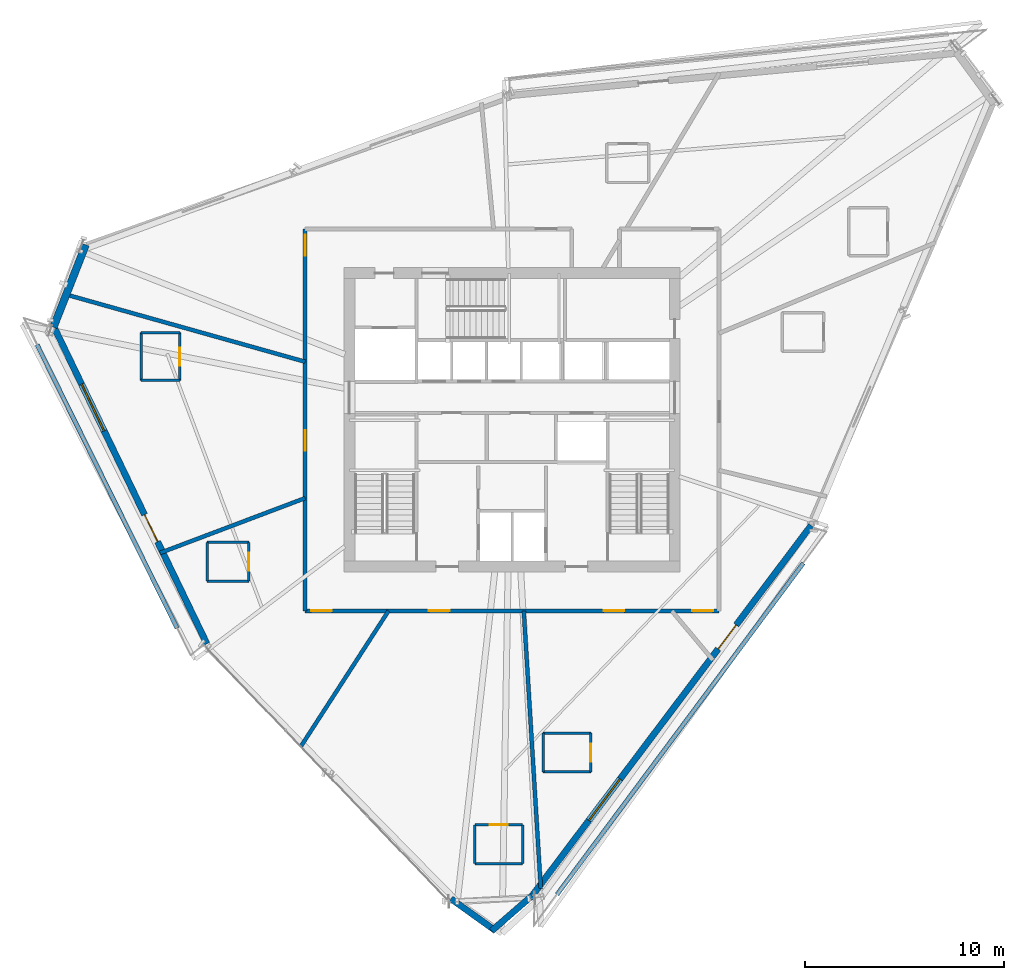
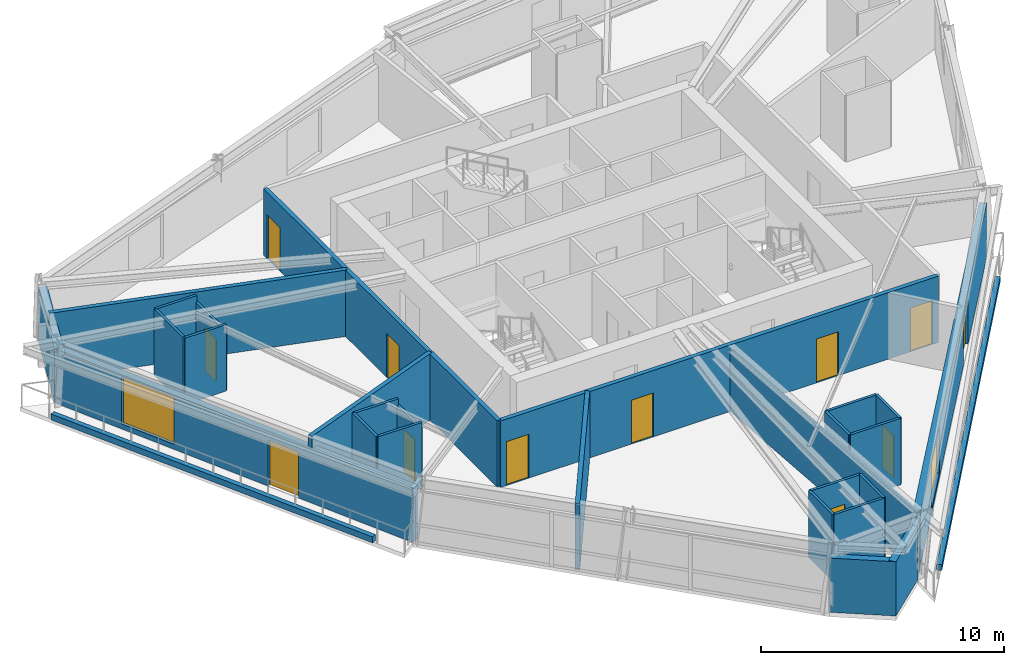
# One storey, part 8 of 14: 29 walls, 12 doors, 2 windows, 14 openings.
"""IFC4 building model written with IfcOpenShell, lengths in metres."""

from ifc_helpers import new_model, si_unit, direction, frame, frame_2d, origin, place, context, subcontext, project, spatial, rectangle, extrude, source, transform, mapped, material, layer, layer_set, type_object, type_shapes, element, fill, save


model = new_model("IFC4")

# Units and contexts
model_context = context("Model", 3, precision=1e-05, world=origin(), true_north=direction((0.0, 1.0)))
body_context = subcontext(model_context, "Body", "Model", "MODEL_VIEW")
ifc_project = project(units=[si_unit("LENGTHUNIT", "METRE"), si_unit("AREAUNIT", "SQUARE_METRE"), si_unit("VOLUMEUNIT", "CUBIC_METRE"), si_unit("PLANEANGLEUNIT", "RADIAN"), si_unit("MASSUNIT", "GRAM", prefix="KILO")], contexts=[model_context])

# Site, building, storey
site_placement = place(None, origin())
site = spatial("IfcSite", under=ifc_project, at=site_placement, CompositionType="ELEMENT")
building_placement = place(site_placement, origin())
building = spatial("IfcBuilding", under=site, at=building_placement, Name="Olszyna Solenne Hotel", CompositionType="ELEMENT")
storey_placement = place(building_placement, frame((0.0, 0.0, 182.10009765625)))
storey = spatial("IfcBuildingStorey", under=building, at=storey_placement, Name="L48", CompositionType="ELEMENT", Elevation=182.10009765625)

# Wall, openings, door, window
ifc_material_1 = material(Name="Precast concrete C45/55", Category="concrete")
ifc_layer_1 = layer(ifc_material_1, 0.320068359375, Name="Precast concrete C45/55")
ifc_layer_set_1 = layer_set([ifc_layer_1], Name="Precast concrete C45/55")
wall_type_1 = type_object("IfcWallType", Name="WL-EX320", PredefinedType="SOLIDWALL", material=ifc_layer_set_1)
wall_1_placement = place(storey_placement, frame((53.031005859375, 21.29345703125, 0.0), z_axis=(0.0, 0.0, 1.0), x_axis=(-0.601886435851, -0.798581691713, 0.0)))
wall_1 = element("IfcWall", 1, at=wall_1_placement, inside=storey, type_object=wall_type_1, Name="Exterior terracotta-precast frame wall WL-EX320 EW-L48-01", PredefinedType="SOLIDWALL", context=body_context, shape_type="SweptSolid", body=[
    extrude(rectangle(XDim=23.316162109375, YDim=0.320068359375, at=frame_2d((11.658203125, 0.0))), origin(), (0.0, 0.0, 1.0), 2.721923828125),
])
opening_1_placement = place(wall_1_placement, frame((6.260986328125, 0.0, 0.0)))
opening_1 = element("IfcOpeningElement", 2, at=opening_1_placement, cuts=wall_1, Name="Opening LDG-L48-3", PredefinedType="OPENING", context=body_context, shape_type="SweptSolid", body=[
    extrude(rectangle(XDim=1.5, YDim=2.300048828125, at=frame_2d((0.75, 1.14990234375))), frame((0.0, 0.169921875, 0.0), z_axis=(0.0, -1.0, 0.0), x_axis=(1.0, 0.0, 0.0)), (0.0, 0.0, 1.0), 0.340087890625),
])
opening_2_placement = place(wall_1_placement, frame((15.9541015625, 0.0, 0.251953125)))
opening_2 = element("IfcOpeningElement", 3, at=opening_2_placement, cuts=wall_1, Name="Opening WN-L48-301", PredefinedType="OPENING", context=body_context, shape_type="SweptSolid", body=[
    extrude(rectangle(XDim=2.60009765625, YDim=2.35009765625, at=frame_2d((1.300048828125, 1.175048828125))), frame((0.0, 0.169921875, 0.0), z_axis=(0.0, -1.0, 0.0), x_axis=(1.0, 0.0, 0.0)), (0.0, 0.0, 1.0), 0.340087890625),
])
ifc_material_2 = material(Name="Anodised bronze aluminium", Category="aluminium")
door_type_1 = type_object("IfcDoorType", Name="DR-LG2", OperationType="DOUBLE_DOOR_SINGLE_SWING", PredefinedType="DOOR", material=ifc_material_2)
shared_shape_1 = source(origin(), body_context, "Body", "SweptSolid", [
    extrude(rectangle(XDim=1.5, YDim=2.300048828125, at=frame_2d((0.75, 1.14990234375))), frame((0.0, 0.02490234375, 0.0), z_axis=(0.0, -1.0, 0.0), x_axis=(1.0, 0.0, 0.0)), (0.0, 0.0, 1.0), 0.050048828125),
])
type_shapes(door_type_1, [shared_shape_1])
door_1_placement = place(opening_1_placement, origin())
door_1 = element("IfcDoor", 4, at=door_1_placement, inside=storey, type_object=door_type_1, Name="Exterior loggia balcony door DR-LG2 LDG-L48-3", OperationType="DOUBLE_DOOR_SINGLE_SWING", OverallHeight=2.300048828125, OverallWidth=1.5, PredefinedType="DOOR", context=body_context, shape_type="MappedRepresentation", body=[
    mapped(shared_shape_1, transform((0.0, 0.0, 0.0), x_axis=(1.0, 0.0, 0.0), y_axis=(0.0, 1.0, 0.0), z_axis=(0.0, 0.0, 1.0), scale=1.0)),
])
fill(opening_1, door_1)
ifc_material_3 = material(Name="Low-E triple glazing", Category="glass")
window_type = type_object("IfcWindowType", Name="WN-ST1", PartitioningType="SINGLE_PANEL", PredefinedType="WINDOW", material=ifc_material_3)
shared_shape_2 = source(origin(), body_context, "Body", "SweptSolid", [
    extrude(rectangle(XDim=2.60009765625, YDim=2.35009765625, at=frame_2d((1.300048828125, 1.175048828125))), frame((0.0, 0.030029296875, 0.0), z_axis=(0.0, -1.0, 0.0), x_axis=(1.0, 0.0, 0.0)), (0.0, 0.0, 1.0), 0.06005859375),
])
type_shapes(window_type, [shared_shape_2])
window_1_placement = place(opening_2_placement, origin())
window_1 = element("IfcWindow", 5, at=window_1_placement, inside=storey, type_object=window_type, Name="Loggia room window WN-ST1 WN-L48-301", OverallHeight=2.35009765625, OverallWidth=2.60009765625, PartitioningType="SINGLE_PANEL", PredefinedType="WINDOW", context=body_context, shape_type="MappedRepresentation", body=[
    mapped(shared_shape_2, transform((0.0, 0.0, 0.0), x_axis=(1.0, 0.0, 0.0), y_axis=(0.0, 1.0, 0.0), z_axis=(0.0, 0.0, 1.0), scale=1.0)),
])
fill(opening_2, window_1)

# Walls
wall_2_placement = place(storey_placement, frame((39.020263671875, 2.6982421875, 0.0), z_axis=(0.0, 0.0, 1.0), x_axis=(-0.755496043455, -0.65515320981, 0.0)))
element("IfcWall", 6, at=wall_2_placement, inside=storey, type_object=wall_type_1, Name="Exterior terracotta-precast frame wall WL-EX320 EW-L48-02", PredefinedType="SOLIDWALL", context=body_context, shape_type="SweptSolid", body=[
    extrude(rectangle(XDim=2.712890625, YDim=0.320068359375, at=frame_2d((1.3564453125, 0.0))), origin(), (0.0, 0.0, 1.0), 2.721923828125),
])
wall_3_placement = place(storey_placement, frame((37.1689453125, 0.929931640625, 0.0), z_axis=(0.0, 0.0, 1.0), x_axis=(-0.812593922161, 0.582830264886, 0.0)))
element("IfcWall", 7, at=wall_3_placement, inside=storey, type_object=wall_type_1, Name="Exterior terracotta-precast frame wall WL-EX320 EW-L48-03", PredefinedType="SOLIDWALL", context=body_context, shape_type="SweptSolid", body=[
    extrude(rectangle(XDim=2.754150390625, YDim=0.320068359375, at=frame_2d((1.376953125, 0.0))), origin(), (0.0, 0.0, 1.0), 2.721923828125),
])

# Wall, openings, door, window
wall_4_placement = place(storey_placement, frame((22.66357421875, 15.34814453125, 0.0), z_axis=(0.0, 0.0, 1.0), x_axis=(-0.434690054068, 0.900580122418, 0.0)))
wall_4 = element("IfcWall", 8, at=wall_4_placement, inside=storey, type_object=wall_type_1, Name="Exterior terracotta-precast frame wall WL-EX320 EW-L48-05", PredefinedType="SOLIDWALL", context=body_context, shape_type="SweptSolid", body=[
    extrude(rectangle(XDim=17.817626953125, YDim=0.320068359375, at=frame_2d((8.90869140625, 0.0))), origin(), (0.0, 0.0, 1.0), 2.721923828125),
])
opening_3_placement = place(wall_4_placement, frame((5.701904296875, 0.0, 0.0)))
opening_3 = element("IfcOpeningElement", 9, at=opening_3_placement, cuts=wall_4, Name="Opening LDG-L48-2", PredefinedType="OPENING", context=body_context, shape_type="SweptSolid", body=[
    extrude(rectangle(XDim=1.5, YDim=2.300048828125, at=frame_2d((0.75, 1.14990234375))), frame((0.0, 0.169921875, 0.0), z_axis=(0.0, -1.0, 0.0), x_axis=(1.0, 0.0, 0.0)), (0.0, 0.0, 1.0), 0.340087890625),
])
opening_4_placement = place(wall_4_placement, frame((11.885009765625, 0.0, 0.251953125)))
opening_4 = element("IfcOpeningElement", 10, at=opening_4_placement, cuts=wall_4, Name="Opening WN-L48-302", PredefinedType="OPENING", context=body_context, shape_type="SweptSolid", body=[
    extrude(rectangle(XDim=2.60009765625, YDim=2.35009765625, at=frame_2d((1.300048828125, 1.175048828125))), frame((0.0, 0.169921875, 0.0), z_axis=(0.0, -1.0, 0.0), x_axis=(1.0, 0.0, 0.0)), (0.0, 0.0, 1.0), 0.340087890625),
])
door_2_placement = place(opening_3_placement, origin())
door_2 = element("IfcDoor", 11, at=door_2_placement, inside=storey, type_object=door_type_1, Name="Exterior loggia balcony door DR-LG2 LDG-L48-2", OperationType="DOUBLE_DOOR_SINGLE_SWING", OverallHeight=2.300048828125, OverallWidth=1.5, PredefinedType="DOOR", context=body_context, shape_type="MappedRepresentation", body=[
    mapped(shared_shape_1, transform((0.0, 0.0, 0.0), x_axis=(1.0, 0.0, 0.0), y_axis=(0.0, 1.0, 0.0), z_axis=(0.0, 0.0, 1.0), scale=1.0)),
])
fill(opening_3, door_2)
window_2_placement = place(opening_4_placement, origin())
window_2 = element("IfcWindow", 12, at=window_2_placement, inside=storey, type_object=window_type, Name="Loggia room window WN-ST1 WN-L48-302", OverallHeight=2.35009765625, OverallWidth=2.60009765625, PartitioningType="SINGLE_PANEL", PredefinedType="WINDOW", context=body_context, shape_type="MappedRepresentation", body=[
    mapped(shared_shape_2, transform((0.0, 0.0, 0.0), x_axis=(1.0, 0.0, 0.0), y_axis=(0.0, 1.0, 0.0), z_axis=(0.0, 0.0, 1.0), scale=1.0)),
])
fill(opening_4, window_2)

# Walls
ifc_material_4 = material(Name="Terracotta cladding on precast concrete C45/55", Category="masonry")
ifc_layer_2 = layer(ifc_material_4, 0.3798828125, Name="Terracotta cladding on precast concrete C45/55")
ifc_layer_set_2 = layer_set([ifc_layer_2], Name="Terracotta cladding on precast concrete C45/55")
wall_type_2 = type_object("IfcWallType", Name="WL-EX380", PredefinedType="SOLIDWALL", material=ifc_layer_set_2)
wall_5_placement = place(storey_placement, frame((14.951171875, 31.25537109375, 0.0), z_axis=(0.0, 0.0, 1.0), x_axis=(0.364851869686, 0.931065579423, 0.0)))
element("IfcWall", 13, at=wall_5_placement, inside=storey, type_object=wall_type_2, Name="Exterior terracotta-precast frame wall WL-EX380 EW-L48-06", PredefinedType="SOLIDWALL", context=body_context, shape_type="SweptSolid", body=[
    extrude(rectangle(XDim=4.45458984375, YDim=0.3798828125, at=frame_2d((2.227294921875, 0.0))), origin(), (0.0, 0.0, 1.0), 2.721923828125),
])
ifc_layer_3 = layer(ifc_material_1, 0.219970703125, Name="Precast concrete C45/55")
ifc_layer_set_3 = layer_set([ifc_layer_3], Name="Precast concrete C45/55")
wall_type_3 = type_object("IfcWallType", Name="WL-PR220", PredefinedType="PARAPET", material=ifc_layer_set_3)
wall_6_placement = place(storey_placement, frame((14.12890625, 30.380859375, 0.0), z_axis=(0.0, 0.0, 1.0), x_axis=(0.442956113231, -0.896543296083, 0.0)))
element("IfcWall", 14, at=wall_6_placement, inside=storey, type_object=wall_type_3, Name="Loggia balcony precast kerb PR-L48-LG2", PredefinedType="PARAPET", context=body_context, shape_type="SweptSolid", body=[
    extrude(rectangle(XDim=15.8916015625, YDim=0.219970703125, at=frame_2d((7.94580078125, 0.0))), origin(), (0.0, 0.0, 1.0), 0.2998046875),
])
wall_7_placement = place(storey_placement, frame((40.258544921875, 2.74609375, 0.0), z_axis=(0.0, 0.0, 1.0), x_axis=(0.596468885173, 0.80263619967, 0.0)))
element("IfcWall", 15, at=wall_7_placement, inside=storey, type_object=wall_type_3, Name="Loggia balcony precast kerb PR-L48-LG3", PredefinedType="PARAPET", context=body_context, shape_type="SweptSolid", body=[
    extrude(rectangle(XDim=20.754150390625, YDim=0.219970703125, at=frame_2d((10.376953125, 0.0))), origin(), (0.0, 0.0, 1.0), 0.2998046875),
])

# Wall, opening, door
ifc_material_5 = material(Name="Acoustic gypsum partition", Category="gypsum")
ifc_layer_4 = layer(ifc_material_5, 0.125, Name="Acoustic gypsum partition")
ifc_layer_set_4 = layer_set([ifc_layer_4], Name="Acoustic gypsum partition")
wall_type_4 = type_object("IfcWallType", Name="WL-PT125", PredefinedType="PARTITIONING", material=ifc_layer_set_4)
wall_8_placement = place(storey_placement, frame((24.778076171875, 18.498046875, 0.0), z_axis=(0.0, 0.0, 1.0), x_axis=(0.0, 1.0, 0.0)))
wall_8 = element("IfcWall", 16, at=wall_8_placement, inside=storey, type_object=wall_type_4, Name="Interior acoustic partition WL-PT125 PW-L48-2692", PredefinedType="PARTITIONING", context=body_context, shape_type="SweptSolid", body=[
    extrude(rectangle(XDim=1.949951171875, YDim=0.125, at=frame_2d((0.97509765625, 0.0))), origin(), (0.0, 0.0, 1.0), 3.014892578125),
])
opening_5_placement = place(wall_8_placement, frame((0.52490234375, 0.0, 0.0)))
opening_5 = element("IfcOpeningElement", 17, at=opening_5_placement, cuts=wall_8, Name="Opening DR-L48-0649", PredefinedType="OPENING", context=body_context, shape_type="SweptSolid", body=[
    extrude(rectangle(XDim=0.89990234375, YDim=2.10009765625, at=frame_2d((0.449951171875, 1.050048828125))), frame((0.0, 0.072509765625, 0.0), z_axis=(0.0, -1.0, 0.0), x_axis=(1.0, 0.0, 0.0)), (0.0, 0.0, 1.0), 0.14501953125),
])
ifc_material_6 = material(Name="Timber hardwood", Category="wood")
door_type_2 = type_object("IfcDoorType", Name="DR-WC1", OperationType="NOTDEFINED", PredefinedType="DOOR", material=ifc_material_6)
shared_shape_3 = source(origin(), body_context, "Body", "SweptSolid", [
    extrude(rectangle(XDim=0.89990234375, YDim=2.10009765625, at=frame_2d((0.449951171875, 1.050048828125))), frame((0.0, 0.02490234375, 0.0), z_axis=(0.0, -1.0, 0.0), x_axis=(1.0, 0.0, 0.0)), (0.0, 0.0, 1.0), 0.050048828125),
])
type_shapes(door_type_2, [shared_shape_3])
door_3_placement = place(opening_5_placement, origin())
door_3 = element("IfcDoor", 18, at=door_3_placement, inside=storey, type_object=door_type_2, Name="En-Suite Bathroom Door DR-L48-0649", OperationType="SINGLE_SWING_LEFT", OverallHeight=2.10009765625, OverallWidth=0.89990234375, PredefinedType="DOOR", context=body_context, shape_type="MappedRepresentation", body=[
    mapped(shared_shape_3, transform((0.0, 0.0, 0.0), x_axis=(1.0, 0.0, 0.0), y_axis=(0.0, 1.0, 0.0), z_axis=(0.0, 0.0, 1.0), scale=1.0)),
])
fill(opening_5, door_3)

# Walls
wall_9_placement = place(storey_placement, frame((24.778076171875, 20.447998046875, 0.0), z_axis=(0.0, 0.0, 1.0), x_axis=(-1.0, 0.0, 0.0)))
element("IfcWall", 19, at=wall_9_placement, inside=storey, type_object=wall_type_4, Name="Interior acoustic partition WL-PT125 PW-L48-2693", PredefinedType="PARTITIONING", context=body_context, shape_type="SweptSolid", body=[
    extrude(rectangle(XDim=2.10009765625, YDim=0.125, at=frame_2d((1.050048828125, 0.0))), origin(), (0.0, 0.0, 1.0), 3.329833984375),
])
wall_10_placement = place(storey_placement, frame((22.677978515625, 20.447998046875, 0.0), z_axis=(0.0, 0.0, 1.0), x_axis=(0.0, -1.0, 0.0)))
element("IfcWall", 20, at=wall_10_placement, inside=storey, type_object=wall_type_4, Name="Interior acoustic partition WL-PT125 PW-L48-2694", PredefinedType="PARTITIONING", context=body_context, shape_type="SweptSolid", body=[
    extrude(rectangle(XDim=1.949951171875, YDim=0.125, at=frame_2d((0.97509765625, 0.0))), origin(), (0.0, 0.0, 1.0), 3.329833984375),
])
wall_11_placement = place(storey_placement, frame((22.677978515625, 18.498046875, 0.0), z_axis=(0.0, 0.0, 1.0), x_axis=(1.0, 0.0, 0.0)))
element("IfcWall", 21, at=wall_11_placement, inside=storey, type_object=wall_type_4, Name="Interior acoustic partition WL-PT125 PW-L48-2695", PredefinedType="PARTITIONING", context=body_context, shape_type="SweptSolid", body=[
    extrude(rectangle(XDim=2.10009765625, YDim=0.125, at=frame_2d((1.050048828125, 0.0))), origin(), (0.0, 0.0, 1.0), 3.329833984375),
])
wall_12_placement = place(storey_placement, frame((38.527099609375, 4.301025390625, 0.0), z_axis=(0.0, 0.0, 1.0), x_axis=(0.0, 1.0, 0.0)))
element("IfcWall", 22, at=wall_12_placement, inside=storey, type_object=wall_type_4, Name="Interior acoustic partition WL-PT125 PW-L48-2696", PredefinedType="PARTITIONING", context=body_context, shape_type="SweptSolid", body=[
    extrude(rectangle(XDim=1.949951171875, YDim=0.125, at=frame_2d((0.97509765625, 0.0))), origin(), (0.0, 0.0, 1.0), 3.329833984375),
])

# Wall, opening, door
wall_13_placement = place(storey_placement, frame((38.527099609375, 6.2509765625, 0.0), z_axis=(0.0, 0.0, 1.0), x_axis=(-1.0, 0.0, 0.0)))
wall_13 = element("IfcWall", 23, at=wall_13_placement, inside=storey, type_object=wall_type_4, Name="Interior acoustic partition WL-PT125 PW-L48-2697", PredefinedType="PARTITIONING", context=body_context, shape_type="SweptSolid", body=[
    extrude(rectangle(XDim=2.400146484375, YDim=0.125, at=frame_2d((1.2001953125, 0.0))), origin(), (0.0, 0.0, 1.0), 3.329833984375),
])
opening_6_placement = place(wall_13_placement, frame((0.75, 0.0, 0.0)))
opening_6 = element("IfcOpeningElement", 24, at=opening_6_placement, cuts=wall_13, Name="Opening DR-L48-0650", PredefinedType="OPENING", context=body_context, shape_type="SweptSolid", body=[
    extrude(rectangle(XDim=0.89990234375, YDim=2.10009765625, at=frame_2d((0.449951171875, 1.050048828125))), frame((0.0, 0.072509765625, 0.0), z_axis=(0.0, -1.0, 0.0), x_axis=(1.0, 0.0, 0.0)), (0.0, 0.0, 1.0), 0.14501953125),
])
door_4_placement = place(opening_6_placement, origin())
door_4 = element("IfcDoor", 25, at=door_4_placement, inside=storey, type_object=door_type_2, Name="En-Suite Bathroom Door DR-L48-0650", OperationType="SINGLE_SWING_RIGHT", OverallHeight=2.10009765625, OverallWidth=0.89990234375, PredefinedType="DOOR", context=body_context, shape_type="MappedRepresentation", body=[
    mapped(shared_shape_3, transform((0.0, 0.0, 0.0), x_axis=(1.0, 0.0, 0.0), y_axis=(0.0, 1.0, 0.0), z_axis=(0.0, 0.0, 1.0), scale=1.0)),
])
fill(opening_6, door_4)

# Walls
wall_14_placement = place(storey_placement, frame((36.126953125, 6.2509765625, 0.0), z_axis=(0.0, 0.0, 1.0), x_axis=(0.0, -1.0, 0.0)))
element("IfcWall", 26, at=wall_14_placement, inside=storey, type_object=wall_type_4, Name="Interior acoustic partition WL-PT125 PW-L48-2698", PredefinedType="PARTITIONING", context=body_context, shape_type="SweptSolid", body=[
    extrude(rectangle(XDim=1.949951171875, YDim=0.125, at=frame_2d((0.97509765625, 0.0))), origin(), (0.0, 0.0, 1.0), 3.329833984375),
])
wall_15_placement = place(storey_placement, frame((36.126953125, 4.301025390625, 0.0), z_axis=(0.0, 0.0, 1.0), x_axis=(1.0, 0.0, 0.0)))
element("IfcWall", 27, at=wall_15_placement, inside=storey, type_object=wall_type_4, Name="Interior acoustic partition WL-PT125 PW-L48-2699", PredefinedType="PARTITIONING", context=body_context, shape_type="SweptSolid", body=[
    extrude(rectangle(XDim=2.400146484375, YDim=0.125, at=frame_2d((1.2001953125, 0.0))), origin(), (0.0, 0.0, 1.0), 3.329833984375),
])

# Wall, opening, door
wall_16_placement = place(storey_placement, frame((41.958984375, 8.908935546875, 0.0), z_axis=(0.0, 0.0, 1.0), x_axis=(0.0, 1.0, 0.0)))
wall_16 = element("IfcWall", 28, at=wall_16_placement, inside=storey, type_object=wall_type_4, Name="Interior acoustic partition WL-PT125 PW-L48-2700", PredefinedType="PARTITIONING", context=body_context, shape_type="SweptSolid", body=[
    extrude(rectangle(XDim=1.949951171875, YDim=0.125, at=frame_2d((0.97509765625, 0.0))), origin(), (0.0, 0.0, 1.0), 3.329833984375),
])
opening_7_placement = place(wall_16_placement, frame((0.52490234375, 0.0, 0.0)))
opening_7 = element("IfcOpeningElement", 29, at=opening_7_placement, cuts=wall_16, Name="Opening DR-L48-0651", PredefinedType="OPENING", context=body_context, shape_type="SweptSolid", body=[
    extrude(rectangle(XDim=0.89990234375, YDim=2.10009765625, at=frame_2d((0.449951171875, 1.050048828125))), frame((0.0, 0.072509765625, 0.0), z_axis=(0.0, -1.0, 0.0), x_axis=(1.0, 0.0, 0.0)), (0.0, 0.0, 1.0), 0.14501953125),
])
door_5_placement = place(opening_7_placement, origin())
door_5 = element("IfcDoor", 30, at=door_5_placement, inside=storey, type_object=door_type_2, Name="En-Suite Bathroom Door DR-L48-0651", OperationType="SINGLE_SWING_LEFT", OverallHeight=2.10009765625, OverallWidth=0.89990234375, PredefinedType="DOOR", context=body_context, shape_type="MappedRepresentation", body=[
    mapped(shared_shape_3, transform((0.0, 0.0, 0.0), x_axis=(1.0, 0.0, 0.0), y_axis=(0.0, 1.0, 0.0), z_axis=(0.0, 0.0, 1.0), scale=1.0)),
])
fill(opening_7, door_5)

# Walls
wall_17_placement = place(storey_placement, frame((41.958984375, 10.85888671875, 0.0), z_axis=(0.0, 0.0, 1.0), x_axis=(-1.0, 0.0, 0.0)))
element("IfcWall", 31, at=wall_17_placement, inside=storey, type_object=wall_type_4, Name="Interior acoustic partition WL-PT125 PW-L48-2701", PredefinedType="PARTITIONING", context=body_context, shape_type="SweptSolid", body=[
    extrude(rectangle(XDim=2.39990234375, YDim=0.125, at=frame_2d((1.199951171875, 0.0))), origin(), (0.0, 0.0, 1.0), 3.329833984375),
])
wall_18_placement = place(storey_placement, frame((39.55908203125, 10.85888671875, 0.0), z_axis=(0.0, 0.0, 1.0), x_axis=(0.0, -1.0, 0.0)))
element("IfcWall", 32, at=wall_18_placement, inside=storey, type_object=wall_type_4, Name="Interior acoustic partition WL-PT125 PW-L48-2702", PredefinedType="PARTITIONING", context=body_context, shape_type="SweptSolid", body=[
    extrude(rectangle(XDim=1.949951171875, YDim=0.125, at=frame_2d((0.97509765625, 0.0))), origin(), (0.0, 0.0, 1.0), 3.329833984375),
])
wall_19_placement = place(storey_placement, frame((39.55908203125, 8.908935546875, 0.0), z_axis=(0.0, 0.0, 1.0), x_axis=(1.0, 0.0, 0.0)))
element("IfcWall", 33, at=wall_19_placement, inside=storey, type_object=wall_type_4, Name="Interior acoustic partition WL-PT125 PW-L48-2703", PredefinedType="PARTITIONING", context=body_context, shape_type="SweptSolid", body=[
    extrude(rectangle(XDim=2.39990234375, YDim=0.125, at=frame_2d((1.199951171875, 0.0))), origin(), (0.0, 0.0, 1.0), 3.329833984375),
])

# Wall, opening, door
wall_20_placement = place(storey_placement, frame((21.306884765625, 28.5830078125, 0.0), z_axis=(0.0, 0.0, 1.0), x_axis=(0.0, 1.0, 0.0)))
wall_20 = element("IfcWall", 34, at=wall_20_placement, inside=storey, type_object=wall_type_4, Name="Interior acoustic partition WL-PT125 PW-L48-2716", PredefinedType="PARTITIONING", context=body_context, shape_type="SweptSolid", body=[
    extrude(rectangle(XDim=2.39990234375, YDim=0.125, at=frame_2d((1.199951171875, 0.0))), origin(), (0.0, 0.0, 1.0), 3.014892578125),
])
opening_8_placement = place(wall_20_placement, frame((0.75, 0.0, 0.0)))
opening_8 = element("IfcOpeningElement", 35, at=opening_8_placement, cuts=wall_20, Name="Opening DR-L48-0655", PredefinedType="OPENING", context=body_context, shape_type="SweptSolid", body=[
    extrude(rectangle(XDim=0.89990234375, YDim=2.10009765625, at=frame_2d((0.449951171875, 1.050048828125))), frame((0.0, 0.072509765625, 0.0), z_axis=(0.0, -1.0, 0.0), x_axis=(1.0, 0.0, 0.0)), (0.0, 0.0, 1.0), 0.14501953125),
])
door_6_placement = place(opening_8_placement, origin())
door_6 = element("IfcDoor", 36, at=door_6_placement, inside=storey, type_object=door_type_2, Name="En-Suite Bathroom Door DR-L48-0655", OperationType="SINGLE_SWING_LEFT", OverallHeight=2.10009765625, OverallWidth=0.89990234375, PredefinedType="DOOR", context=body_context, shape_type="MappedRepresentation", body=[
    mapped(shared_shape_3, transform((0.0, 0.0, 0.0), x_axis=(1.0, 0.0, 0.0), y_axis=(0.0, 1.0, 0.0), z_axis=(0.0, 0.0, 1.0), scale=1.0)),
])
fill(opening_8, door_6)

# Walls
wall_21_placement = place(storey_placement, frame((21.306884765625, 30.98291015625, 0.0), z_axis=(0.0, 0.0, 1.0), x_axis=(-1.0, 0.0, 0.0)))
element("IfcWall", 37, at=wall_21_placement, inside=storey, type_object=wall_type_4, Name="Interior acoustic partition WL-PT125 PW-L48-2717", PredefinedType="PARTITIONING", context=body_context, shape_type="SweptSolid", body=[
    extrude(rectangle(XDim=1.949951171875, YDim=0.125, at=frame_2d((0.97509765625, 0.0))), origin(), (0.0, 0.0, 1.0), 3.329833984375),
])
wall_22_placement = place(storey_placement, frame((19.35693359375, 30.98291015625, 0.0), z_axis=(0.0, 0.0, 1.0), x_axis=(0.0, -1.0, 0.0)))
element("IfcWall", 38, at=wall_22_placement, inside=storey, type_object=wall_type_4, Name="Interior acoustic partition WL-PT125 PW-L48-2718", PredefinedType="PARTITIONING", context=body_context, shape_type="SweptSolid", body=[
    extrude(rectangle(XDim=2.39990234375, YDim=0.125, at=frame_2d((1.199951171875, 0.0))), origin(), (0.0, 0.0, 1.0), 3.329833984375),
])
wall_23_placement = place(storey_placement, frame((19.35693359375, 28.5830078125, 0.0), z_axis=(0.0, 0.0, 1.0), x_axis=(1.0, 0.0, 0.0)))
element("IfcWall", 39, at=wall_23_placement, inside=storey, type_object=wall_type_4, Name="Interior acoustic partition WL-PT125 PW-L48-2719", PredefinedType="PARTITIONING", context=body_context, shape_type="SweptSolid", body=[
    extrude(rectangle(XDim=1.949951171875, YDim=0.125, at=frame_2d((0.97509765625, 0.0))), origin(), (0.0, 0.0, 1.0), 3.329833984375),
])
ifc_layer_5 = layer(ifc_material_5, 0.199951171875, Name="Acoustic gypsum partition")
ifc_layer_set_5 = layer_set([ifc_layer_5], Name="Acoustic gypsum partition")
wall_type_5 = type_object("IfcWallType", Name="WL-PT200", PredefinedType="PARTITIONING", material=ifc_layer_set_5)
wall_24_placement = place(storey_placement, frame((27.60009765625, 22.670166015625, 0.0), z_axis=(0.0, 0.0, 1.0), x_axis=(-0.935445148769, -0.353471885225, 0.0)))
element("IfcWall", 40, at=wall_24_placement, inside=storey, type_object=wall_type_5, Name="Interior acoustic partition WL-PT200 PW-L48-2682", PredefinedType="PARTITIONING", context=body_context, shape_type="SweptSolid", body=[
    extrude(rectangle(XDim=7.7890625, YDim=0.199951171875, at=frame_2d((3.89453125, 0.0))), origin(), (0.0, 0.0, 1.0), 3.329833984375),
])
wall_25_placement = place(storey_placement, frame((31.79052734375, 17.0, 0.0), z_axis=(0.0, 0.0, 1.0), x_axis=(-0.543103391012, -0.839665830358, 0.0)))
element("IfcWall", 41, at=wall_25_placement, inside=storey, type_object=wall_type_5, Name="Interior acoustic partition WL-PT200 PW-L48-2683", PredefinedType="PARTITIONING", context=body_context, shape_type="SweptSolid", body=[
    extrude(rectangle(XDim=8.07763671875, YDim=0.199951171875, at=frame_2d((4.038818359375, 0.0))), origin(), (0.0, 0.0, 1.0), 3.329833984375),
])
wall_26_placement = place(storey_placement, frame((38.588623046875, 17.0, 0.0), z_axis=(0.0, 0.0, 1.0), x_axis=(0.061210221515, -0.998124896384, 0.0)))
element("IfcWall", 42, at=wall_26_placement, inside=storey, type_object=wall_type_5, Name="Interior acoustic partition WL-PT200 PW-L48-2684", PredefinedType="PARTITIONING", context=body_context, shape_type="SweptSolid", body=[
    extrude(rectangle(XDim=13.975830078125, YDim=0.199951171875, at=frame_2d((6.98779296875, 0.0))), origin(), (0.0, 0.0, 1.0), 3.0048828125),
])
wall_27_placement = place(storey_placement, frame((27.60009765625, 29.524169921875, 0.0), z_axis=(0.0, 0.0, 1.0), x_axis=(-0.962669357106, 0.270680085873, 0.0)))
element("IfcWall", 43, at=wall_27_placement, inside=storey, type_object=wall_type_5, Name="Interior acoustic partition WL-PT200 PW-L48-2691", PredefinedType="PARTITIONING", context=body_context, shape_type="SweptSolid", body=[
    extrude(rectangle(XDim=12.630859375, YDim=0.199951171875, at=frame_2d((6.3154296875, 0.0))), origin(), (0.0, 0.0, 1.0), 3.329833984375),
])

# Wall, openings, doors
wall_28_placement = place(storey_placement, frame((27.60009765625, 17.0, 0.0), z_axis=(0.0, 0.0, 1.0), x_axis=(1.0, 0.0, 0.0)))
wall_28 = element("IfcWall", 44, at=wall_28_placement, inside=storey, type_object=wall_type_5, Name="Interior acoustic partition WL-PT200 PW-L48-2720", PredefinedType="PARTITIONING", context=body_context, shape_type="SweptSolid", body=[
    extrude(rectangle(XDim=20.7998046875, YDim=0.199951171875, at=frame_2d((10.39990234375, 0.0))), origin(), (0.0, 0.0, 1.0), 3.329833984375),
])
opening_9_placement = place(wall_28_placement, frame((0.300048828125, 0.0, 0.0)))
opening_9 = element("IfcOpeningElement", 45, at=opening_9_placement, cuts=wall_28, Name="Opening DR-L48-0656", PredefinedType="OPENING", context=body_context, shape_type="SweptSolid", body=[
    extrude(rectangle(XDim=1.050048828125, YDim=2.199951171875, at=frame_2d((0.52490234375, 1.10009765625))), frame((0.0, 0.10986328125, 0.0), z_axis=(0.0, -1.0, 0.0), x_axis=(1.0, 0.0, 0.0)), (0.0, 0.0, 1.0), 0.219970703125),
])
opening_10_placement = place(wall_28_placement, frame((6.215087890625, 0.0, 0.0)))
opening_10 = element("IfcOpeningElement", 46, at=opening_10_placement, cuts=wall_28, Name="Opening DR-L48-0657", PredefinedType="OPENING", context=body_context, shape_type="SweptSolid", body=[
    extrude(rectangle(XDim=1.050048828125, YDim=2.199951171875, at=frame_2d((0.52490234375, 1.10009765625))), frame((0.0, 0.10986328125, 0.0), z_axis=(0.0, -1.0, 0.0), x_axis=(1.0, 0.0, 0.0)), (0.0, 0.0, 1.0), 0.219970703125),
])
opening_11_placement = place(wall_28_placement, frame((14.998046875, 0.0, 0.0)))
opening_11 = element("IfcOpeningElement", 47, at=opening_11_placement, cuts=wall_28, Name="Opening DR-L48-0658", PredefinedType="OPENING", context=body_context, shape_type="SweptSolid", body=[
    extrude(rectangle(XDim=1.050048828125, YDim=2.199951171875, at=frame_2d((0.52490234375, 1.10009765625))), frame((0.0, 0.10986328125, 0.0), z_axis=(0.0, -1.0, 0.0), x_axis=(1.0, 0.0, 0.0)), (0.0, 0.0, 1.0), 0.219970703125),
])
opening_12_placement = place(wall_28_placement, frame((19.449951171875, 0.0, 0.0)))
opening_12 = element("IfcOpeningElement", 48, at=opening_12_placement, cuts=wall_28, Name="Opening DR-L48-0659", PredefinedType="OPENING", context=body_context, shape_type="SweptSolid", body=[
    extrude(rectangle(XDim=1.050048828125, YDim=2.199951171875, at=frame_2d((0.52490234375, 1.10009765625))), frame((0.0, 0.10986328125, 0.0), z_axis=(0.0, -1.0, 0.0), x_axis=(1.0, 0.0, 0.0)), (0.0, 0.0, 1.0), 0.219970703125),
])
door_type_3 = type_object("IfcDoorType", Name="DR-RM2", OperationType="NOTDEFINED", PredefinedType="DOOR", material=ifc_material_6)
shared_shape_4 = source(origin(), body_context, "Body", "SweptSolid", [
    extrude(rectangle(XDim=1.050048828125, YDim=2.199951171875, at=frame_2d((0.52490234375, 1.10009765625))), frame((0.0, 0.02490234375, 0.0), z_axis=(0.0, -1.0, 0.0), x_axis=(1.0, 0.0, 0.0)), (0.0, 0.0, 1.0), 0.050048828125),
])
type_shapes(door_type_3, [shared_shape_4])
door_7_placement = place(opening_9_placement, origin())
door_7 = element("IfcDoor", 49, at=door_7_placement, inside=storey, type_object=door_type_3, Name="Deluxe Hotel Guestroom Entrance Door DR-L48-0656", OperationType="SINGLE_SWING_LEFT", OverallHeight=2.199951171875, OverallWidth=1.050048828125, PredefinedType="DOOR", context=body_context, shape_type="MappedRepresentation", body=[
    mapped(shared_shape_4, transform((0.0, 0.0, 0.0), x_axis=(1.0, 0.0, 0.0), y_axis=(0.0, 1.0, 0.0), z_axis=(0.0, 0.0, 1.0), scale=1.0)),
])
fill(opening_9, door_7)
door_8_placement = place(opening_10_placement, origin())
door_8 = element("IfcDoor", 50, at=door_8_placement, inside=storey, type_object=door_type_3, Name="Deluxe Hotel Guestroom Entrance Door DR-L48-0657", OperationType="SINGLE_SWING_RIGHT", OverallHeight=2.199951171875, OverallWidth=1.050048828125, PredefinedType="DOOR", context=body_context, shape_type="MappedRepresentation", body=[
    mapped(shared_shape_4, transform((0.0, 0.0, 0.0), x_axis=(1.0, 0.0, 0.0), y_axis=(0.0, 1.0, 0.0), z_axis=(0.0, 0.0, 1.0), scale=1.0)),
])
fill(opening_10, door_8)
door_9_placement = place(opening_11_placement, origin())
door_9 = element("IfcDoor", 51, at=door_9_placement, inside=storey, type_object=door_type_3, Name="Deluxe Hotel Guestroom Entrance Door DR-L48-0658", OperationType="SINGLE_SWING_LEFT", OverallHeight=2.199951171875, OverallWidth=1.050048828125, PredefinedType="DOOR", context=body_context, shape_type="MappedRepresentation", body=[
    mapped(shared_shape_4, transform((0.0, 0.0, 0.0), x_axis=(1.0, 0.0, 0.0), y_axis=(0.0, 1.0, 0.0), z_axis=(0.0, 0.0, 1.0), scale=1.0)),
])
fill(opening_11, door_9)
door_10_placement = place(opening_12_placement, origin())
door_10 = element("IfcDoor", 52, at=door_10_placement, inside=storey, type_object=door_type_3, Name="Deluxe Hotel Guestroom Entrance Door DR-L48-0659", OperationType="SINGLE_SWING_RIGHT", OverallHeight=2.199951171875, OverallWidth=1.050048828125, PredefinedType="DOOR", context=body_context, shape_type="MappedRepresentation", body=[
    mapped(shared_shape_4, transform((0.0, 0.0, 0.0), x_axis=(1.0, 0.0, 0.0), y_axis=(0.0, 1.0, 0.0), z_axis=(0.0, 0.0, 1.0), scale=1.0)),
])
fill(opening_12, door_10)

wall_29_placement = place(storey_placement, frame((27.60009765625, 17.0, 0.0), z_axis=(0.0, 0.0, 1.0), x_axis=(0.0, 1.0, 0.0)))
wall_29 = element("IfcWall", 53, at=wall_29_placement, inside=storey, type_object=wall_type_5, Name="Interior acoustic partition WL-PT200 PW-L48-2721", PredefinedType="PARTITIONING", context=body_context, shape_type="SweptSolid", body=[
    extrude(rectangle(XDim=19.199951171875, YDim=0.199951171875, at=frame_2d((9.60009765625, 0.0))), origin(), (0.0, 0.0, 1.0), 3.329833984375),
])
opening_13_placement = place(wall_29_placement, frame((17.85009765625, 0.0, 0.0)))
opening_13 = element("IfcOpeningElement", 54, at=opening_13_placement, cuts=wall_29, Name="Opening DR-L48-0660", PredefinedType="OPENING", context=body_context, shape_type="SweptSolid", body=[
    extrude(rectangle(XDim=1.050048828125, YDim=2.199951171875, at=frame_2d((0.52490234375, 1.10009765625))), frame((0.0, 0.10986328125, 0.0), z_axis=(0.0, -1.0, 0.0), x_axis=(1.0, 0.0, 0.0)), (0.0, 0.0, 1.0), 0.219970703125),
])
opening_14_placement = place(wall_29_placement, frame((8.04296875, 0.0, 0.0)))
opening_14 = element("IfcOpeningElement", 55, at=opening_14_placement, cuts=wall_29, Name="Opening DR-L48-0661", PredefinedType="OPENING", context=body_context, shape_type="SweptSolid", body=[
    extrude(rectangle(XDim=1.050048828125, YDim=2.199951171875, at=frame_2d((0.52490234375, 1.10009765625))), frame((0.0, 0.10986328125, 0.0), z_axis=(0.0, -1.0, 0.0), x_axis=(1.0, 0.0, 0.0)), (0.0, 0.0, 1.0), 0.219970703125),
])
door_11_placement = place(opening_13_placement, origin())
door_11 = element("IfcDoor", 56, at=door_11_placement, inside=storey, type_object=door_type_3, Name="Private Business Office Entrance Door DR-L48-0660", OperationType="SINGLE_SWING_RIGHT", OverallHeight=2.199951171875, OverallWidth=1.050048828125, PredefinedType="DOOR", context=body_context, shape_type="MappedRepresentation", body=[
    mapped(shared_shape_4, transform((0.0, 0.0, 0.0), x_axis=(1.0, 0.0, 0.0), y_axis=(0.0, 1.0, 0.0), z_axis=(0.0, 0.0, 1.0), scale=1.0)),
])
fill(opening_13, door_11)
door_12_placement = place(opening_14_placement, origin())
door_12 = element("IfcDoor", 57, at=door_12_placement, inside=storey, type_object=door_type_3, Name="Executive Reading Salon Entrance Door DR-L48-0661", OperationType="SINGLE_SWING_LEFT", OverallHeight=2.199951171875, OverallWidth=1.050048828125, PredefinedType="DOOR", context=body_context, shape_type="MappedRepresentation", body=[
    mapped(shared_shape_4, transform((0.0, 0.0, 0.0), x_axis=(1.0, 0.0, 0.0), y_axis=(0.0, 1.0, 0.0), z_axis=(0.0, 0.0, 1.0), scale=1.0)),
])
fill(opening_14, door_12)

save(model, "model.ifc")
